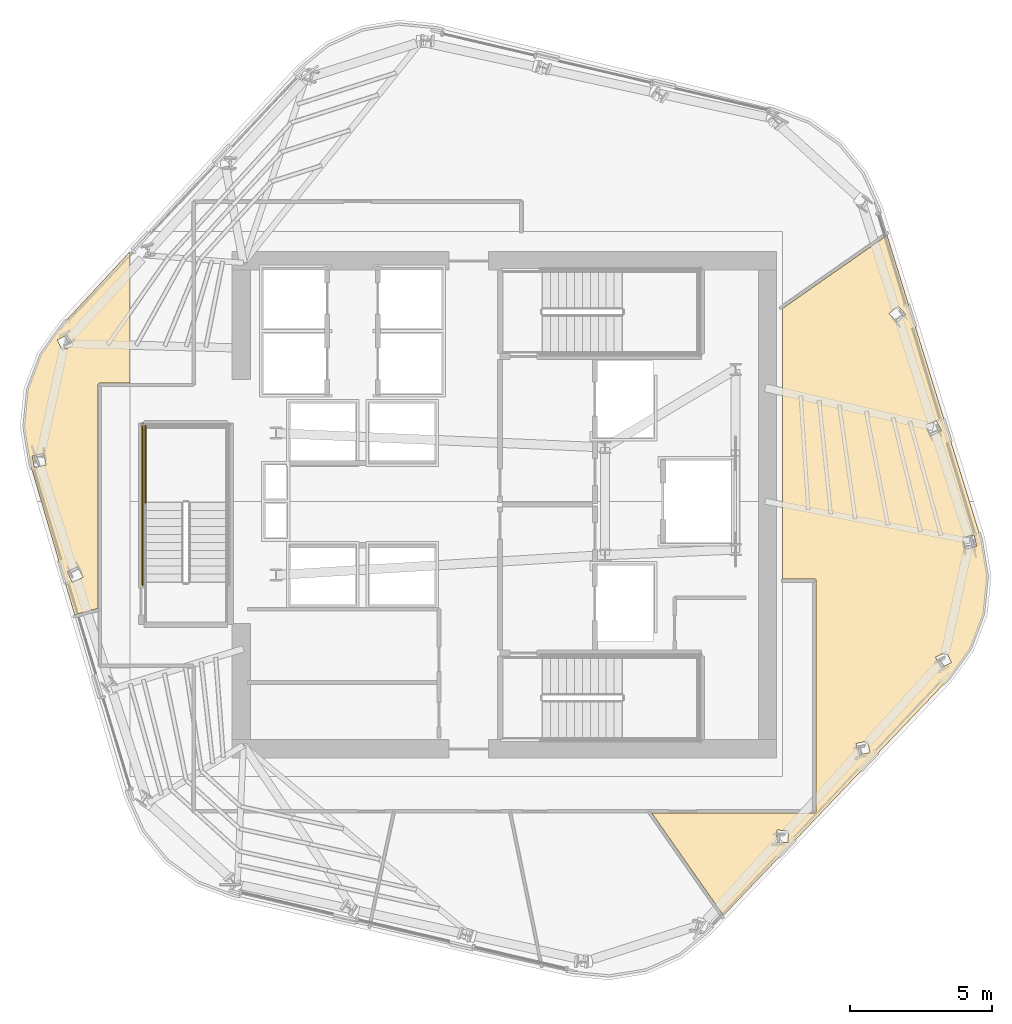
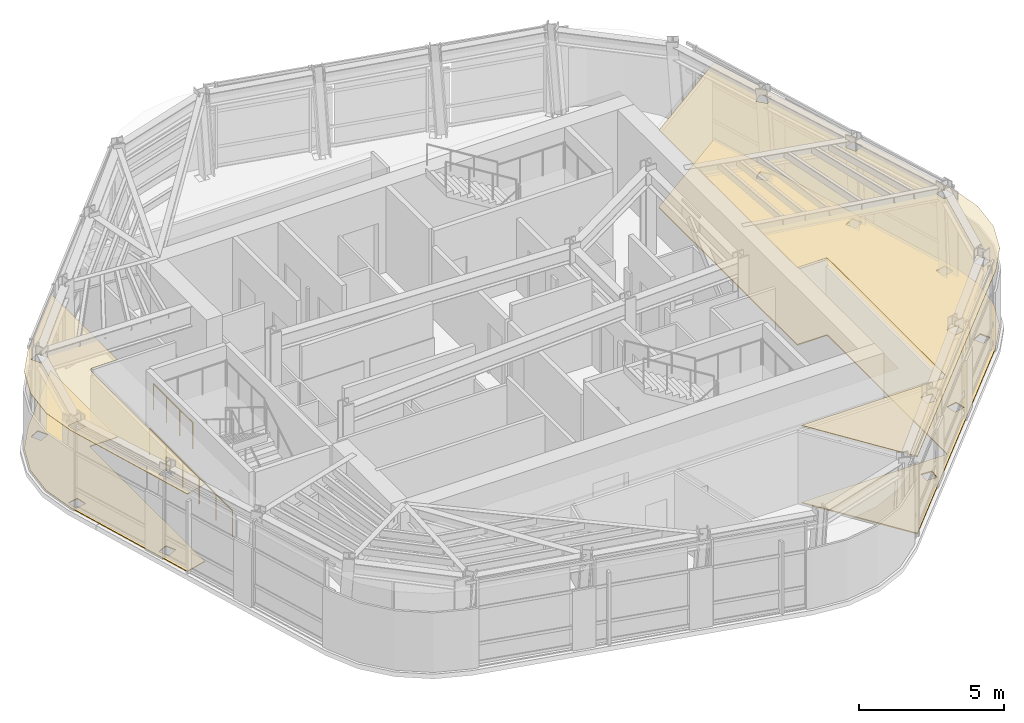
# One storey, part 11 of 13: 4 coverings, 2 railings.
"""IFC4 building model written with IfcOpenShell, lengths in metres."""

from ifc_helpers import new_model, si_unit, direction, frame, origin, origin_2d, place, context, subcontext, project, spatial, polyline, circle, outline, extrude, material, layer, layer_set, type_object, element, save


model = new_model("IFC4")

# Units and contexts
model_context = context("Model", 3, precision=1e-05, world=origin(), true_north=direction((0.0, 1.0)))
body_context = subcontext(model_context, "Body", "Model", "MODEL_VIEW")
ifc_project = project(units=[si_unit("LENGTHUNIT", "METRE"), si_unit("AREAUNIT", "SQUARE_METRE"), si_unit("VOLUMEUNIT", "CUBIC_METRE"), si_unit("PLANEANGLEUNIT", "RADIAN"), si_unit("MASSUNIT", "GRAM", prefix="KILO")], contexts=[model_context])

# Site, building, storey
site_placement = place(None, origin())
site = spatial("IfcSite", under=ifc_project, at=site_placement, CompositionType="ELEMENT")
building_placement = place(site_placement, origin())
building = spatial("IfcBuilding", under=site, at=building_placement, Name="Valkerne Bourse Tower", CompositionType="ELEMENT")
storey_placement = place(building_placement, frame((0.0, 0.0, 224.60009765625)))
storey = spatial("IfcBuildingStorey", under=building, at=storey_placement, Name="L57", CompositionType="ELEMENT", Elevation=224.60009765625)

# Coverings
ifc_material_1 = material(Name="Mineral Fiber Acoustic Ceiling Tile", Category="acoustic")
ifc_layer_1 = layer(ifc_material_1, 0.02490234375)
ifc_layer_set_1 = layer_set([ifc_layer_1], Name="Mineral Fiber Acoustic Ceiling Tile")
covering_type_1 = type_object("IfcCoveringType", Name="COV-CEIL-ACT", PredefinedType="CEILING", material=ifc_layer_set_1)
covering_1_placement = place(storey_placement, frame((0.0, 0.0, 3.25)))
element("IfcCovering", 1, at=covering_1_placement, inside=storey, type_object=covering_type_1, Name="L57 Suspended Ceiling 07", PredefinedType="CEILING", context=body_context, shape_type="SweptSolid", body=[
    extrude(outline(polyline([(63.218994140625, 21.80517578125), (62.443603515625, 20.726318359375), (54.523193359375, 12.402587890625), (51.996337890625, 16.010986328125), (57.720703125, 16.010986328125), (57.7607421875, 16.024169921875), (57.784912109375, 16.056396484375), (57.7880859375, 24.2109375), (57.76611328125, 24.251708984375), (57.723388671875, 24.268798828125), (56.60009765625, 24.26904296875), (56.60009765625, 33.7900390625), (60.290771484375, 36.374267578125), (63.601806640625, 25.663818359375), (63.81640625, 24.3525390625), (63.685302734375, 23.03955078125), (63.218994140625, 21.80517578125)]), holes=[polyline([(56.81787109375, 15.385498046875), (56.4072265625, 15.4130859375), (56.405517578125, 15.411865234375), (56.37841796875, 14.998779296875), (56.788818359375, 14.970703125), (56.79052734375, 14.972412109375), (56.81787109375, 15.385498046875)]), polyline([(59.6845703125, 18.141845703125), (59.598388671875, 18.546875), (59.19580078125, 18.462158203125), (59.194580078125, 18.460205078125), (59.280517578125, 18.055419921875), (59.683349609375, 18.139892578125), (59.6845703125, 18.141845703125)]), polyline([(62.55859375, 21.318115234375), (62.37255859375, 21.68798828125), (62.004638671875, 21.504150390625), (62.00390625, 21.501953125), (62.189697265625, 21.132080078125), (62.5576171875, 21.31591796875), (62.55859375, 21.318115234375)]), polyline([(63.44091796875, 25.404541015625), (63.44091796875, 25.406982421875), (63.35888671875, 25.809814453125), (62.952880859375, 25.727294921875), (62.952392578125, 25.72509765625), (63.03466796875, 25.322265625), (63.44091796875, 25.404541015625)]), polyline([(62.20166015625, 29.4892578125), (62.020263671875, 29.858154296875), (61.648193359375, 29.67578125), (61.6484375, 29.673583984375), (61.830078125, 29.3046875), (62.201904296875, 29.487060546875), (62.20166015625, 29.4892578125)]), polyline([(60.944580078125, 33.583251953125), (60.66943359375, 33.888916015625), (60.361083984375, 33.6123046875), (60.362060546875, 33.610107421875), (60.63720703125, 33.304443359375), (60.9453125, 33.581298828125), (60.944580078125, 33.583251953125)])]), origin(), (0.0, 0.0, 1.0), 0.02490234375),
])
covering_2_placement = place(storey_placement, frame((0.0, 0.0, 3.25)))
element("IfcCovering", 2, at=covering_2_placement, inside=storey, type_object=covering_type_1, Name="L57 Suspended Ceiling 08", PredefinedType="CEILING", context=body_context, shape_type="SweptSolid", body=[
    extrude(outline(polyline([(30.005615234375, 30.939208984375), (30.471923828125, 32.173583984375), (31.247802734375, 33.253173828125), (33.60009765625, 35.79150390625), (33.60009765625, 31.1689453125), (32.54931640625, 31.1689453125), (32.513916015625, 31.158935546875), (32.48779296875, 31.130126953125), (32.48095703125, 31.1005859375), (32.48095703125, 23.224365234375), (31.654541015625, 23.0029296875), (30.08935546875, 28.31396484375), (29.87451171875, 29.626220703125), (30.005615234375, 30.939208984375)]), holes=[polyline([(31.951416015625, 24.326416015625), (31.77001953125, 24.6953125), (31.39794921875, 24.512939453125), (31.3984375, 24.5107421875), (31.579833984375, 24.141845703125), (31.951904296875, 24.32421875), (31.951416015625, 24.326416015625)]), polyline([(30.6474609375, 28.27490234375), (30.565185546875, 28.677734375), (30.1591796875, 28.595458984375), (30.158935546875, 28.593017578125), (30.2412109375, 28.190185546875), (30.647216796875, 28.272705078125), (30.6474609375, 28.27490234375)]), polyline([(31.59619140625, 32.498046875), (31.410400390625, 32.867919921875), (31.042236328125, 32.68408203125), (31.04150390625, 32.681884765625), (31.227294921875, 32.31201171875), (31.595458984375, 32.495849609375), (31.59619140625, 32.498046875)])]), origin(), (0.0, 0.0, 1.0), 0.02490234375),
])
ifc_material_2 = material(Name="Galvanised Painted Steel", Category="steel")
ifc_layer_2 = layer(ifc_material_2, 0.044921875)
ifc_layer_set_2 = layer_set([ifc_layer_2], Name="Galvanised Painted Steel")
covering_type_2 = type_object("IfcCoveringType", Name="COV-FLR-RAF", PredefinedType="FLOORING", material=ifc_layer_set_2)
covering_3_placement = place(storey_placement, origin())
element("IfcCovering", 3, at=covering_3_placement, inside=storey, type_object=covering_type_2, Name="L57 Floor Finish 07", PredefinedType="FLOORING", context=body_context, shape_type="SweptSolid", body=[
    extrude(outline(polyline([(63.218994140625, 21.80517578125), (62.443603515625, 20.726318359375), (54.523193359375, 12.402587890625), (51.996337890625, 16.010986328125), (57.720703125, 16.010986328125), (57.7607421875, 16.024169921875), (57.784912109375, 16.056396484375), (57.7880859375, 24.2109375), (57.76611328125, 24.251708984375), (57.723388671875, 24.268798828125), (56.60009765625, 24.26904296875), (56.60009765625, 33.7900390625), (60.290771484375, 36.374267578125), (63.601806640625, 25.663818359375), (63.81640625, 24.3525390625), (63.685302734375, 23.03955078125), (63.218994140625, 21.80517578125)]), holes=[polyline([(56.81787109375, 15.385498046875), (56.4072265625, 15.4130859375), (56.405517578125, 15.411865234375), (56.37841796875, 14.998779296875), (56.788818359375, 14.970703125), (56.79052734375, 14.972412109375), (56.81787109375, 15.385498046875)]), polyline([(59.6845703125, 18.141845703125), (59.598388671875, 18.546875), (59.19580078125, 18.462158203125), (59.194580078125, 18.460205078125), (59.280517578125, 18.055419921875), (59.683349609375, 18.139892578125), (59.6845703125, 18.141845703125)]), polyline([(62.55859375, 21.318115234375), (62.37255859375, 21.68798828125), (62.004638671875, 21.504150390625), (62.00390625, 21.501953125), (62.189697265625, 21.132080078125), (62.5576171875, 21.31591796875), (62.55859375, 21.318115234375)]), polyline([(63.44091796875, 25.404541015625), (63.44091796875, 25.406982421875), (63.35888671875, 25.809814453125), (62.952880859375, 25.727294921875), (62.952392578125, 25.72509765625), (63.03466796875, 25.322265625), (63.44091796875, 25.404541015625)]), polyline([(62.20166015625, 29.4892578125), (62.020263671875, 29.858154296875), (61.648193359375, 29.67578125), (61.6484375, 29.673583984375), (61.830078125, 29.3046875), (62.201904296875, 29.487060546875), (62.20166015625, 29.4892578125)]), polyline([(60.944580078125, 33.583251953125), (60.66943359375, 33.888916015625), (60.361083984375, 33.6123046875), (60.362060546875, 33.610107421875), (60.63720703125, 33.304443359375), (60.9453125, 33.581298828125), (60.944580078125, 33.583251953125)])]), origin(), (0.0, 0.0, 1.0), 0.044921875),
])
ifc_material_3 = material(Name="Polished Granite Stone", Category="masonry")
ifc_layer_3 = layer(ifc_material_3, 0.030029296875)
ifc_layer_set_3 = layer_set([ifc_layer_3], Name="Polished Granite Stone")
covering_type_3 = type_object("IfcCoveringType", Name="COV-FLR-TERRAZZO", PredefinedType="FLOORING", material=ifc_layer_set_3)
covering_4_placement = place(storey_placement, origin())
element("IfcCovering", 4, at=covering_4_placement, inside=storey, type_object=covering_type_3, Name="L57 Floor Finish 08", PredefinedType="FLOORING", context=body_context, shape_type="SweptSolid", body=[
    extrude(outline(polyline([(30.005615234375, 30.939208984375), (30.471923828125, 32.173583984375), (31.247802734375, 33.253173828125), (33.60009765625, 35.79150390625), (33.60009765625, 31.1689453125), (32.54931640625, 31.1689453125), (32.513916015625, 31.158935546875), (32.48779296875, 31.130126953125), (32.48095703125, 31.1005859375), (32.48095703125, 23.224365234375), (31.654541015625, 23.0029296875), (30.08935546875, 28.31396484375), (29.87451171875, 29.626220703125), (30.005615234375, 30.939208984375)]), holes=[polyline([(31.951416015625, 24.326416015625), (31.77001953125, 24.6953125), (31.39794921875, 24.512939453125), (31.3984375, 24.5107421875), (31.579833984375, 24.141845703125), (31.951904296875, 24.32421875), (31.951416015625, 24.326416015625)]), polyline([(30.6474609375, 28.27490234375), (30.565185546875, 28.677734375), (30.1591796875, 28.595458984375), (30.158935546875, 28.593017578125), (30.2412109375, 28.190185546875), (30.647216796875, 28.272705078125), (30.6474609375, 28.27490234375)]), polyline([(31.59619140625, 32.498046875), (31.410400390625, 32.867919921875), (31.042236328125, 32.68408203125), (31.04150390625, 32.681884765625), (31.227294921875, 32.31201171875), (31.595458984375, 32.495849609375), (31.59619140625, 32.498046875)])]), origin(), (0.0, 0.0, 1.0), 0.02978515625),
])

# Railings
railing_type = type_object("IfcRailingType", Name="RLG-ST-GUARD-1120", PredefinedType="GUARDRAIL", material=ifc_material_2)
railing_1_placement = place(storey_placement, frame((34.14990234375, 26.949951171875, 1.89990234375)))
element("IfcRailing", 5, at=railing_1_placement, inside=storey, type_object=railing_type, Name="L57 ST-3 stair guard 4", PredefinedType="GUARDRAIL", context=body_context, shape_type="SweptSolid", body=[
    extrude(circle(Radius=0.02392578125, at=origin_2d()), frame((0.0, 0.0, 1.09619140625), z_axis=(0.0, 1.0, 0.0), x_axis=(-1.0, 0.0, 0.0)), (0.0, 0.0, 1.0), 2.699951171875),
    extrude(circle(Radius=0.02099609375, at=origin_2d()), origin(), (0.0, 0.0, 1.0), 1.072021484375),
    extrude(circle(Radius=0.02099609375, at=origin_2d()), frame((0.0, 0.89990234375, 0.0)), (0.0, 0.0, 1.0), 1.072021484375),
    extrude(circle(Radius=0.02099609375, at=origin_2d()), frame((0.0, 1.800048828125, 0.0)), (0.0, 0.0, 1.0), 1.072021484375),
    extrude(circle(Radius=0.02099609375, at=origin_2d()), frame((0.0, 2.699951171875, 0.0)), (0.0, 0.0, 1.0), 1.072021484375),
])
railing_2_placement = place(storey_placement, frame((34.050048828125, 24.050048828125, 0.0)))
element("IfcRailing", 6, at=railing_2_placement, inside=storey, type_object=railing_type, Name="L57 ST-3 stair guard 11", PredefinedType="GUARDRAIL", context=body_context, shape_type="SweptSolid", body=[
    extrude(circle(Radius=0.02392578125, at=origin_2d()), frame((0.0, 0.0, 1.09619140625), z_axis=(0.0, 1.0, 0.0), x_axis=(-1.0, 0.0, 0.0)), (0.0, 0.0, 1.0), 5.699951171875),
    extrude(circle(Radius=0.02099609375, at=origin_2d()), origin(), (0.0, 0.0, 1.0), 1.072021484375),
    extrude(circle(Radius=0.02099609375, at=origin_2d()), frame((0.0, 1.139892578125, 0.0)), (0.0, 0.0, 1.0), 1.072021484375),
    extrude(circle(Radius=0.02099609375, at=origin_2d()), frame((0.0, 2.280029296875, 0.0)), (0.0, 0.0, 1.0), 1.072021484375),
    extrude(circle(Radius=0.02099609375, at=origin_2d()), frame((0.0, 3.419921875, 0.0)), (0.0, 0.0, 1.0), 1.072021484375),
    extrude(circle(Radius=0.02099609375, at=origin_2d()), frame((0.0, 4.56005859375, 0.0)), (0.0, 0.0, 1.0), 1.072021484375),
    extrude(circle(Radius=0.02099609375, at=origin_2d()), frame((0.0, 5.699951171875, 0.0)), (0.0, 0.0, 1.0), 1.072021484375),
])

save(model, "model.ifc")
